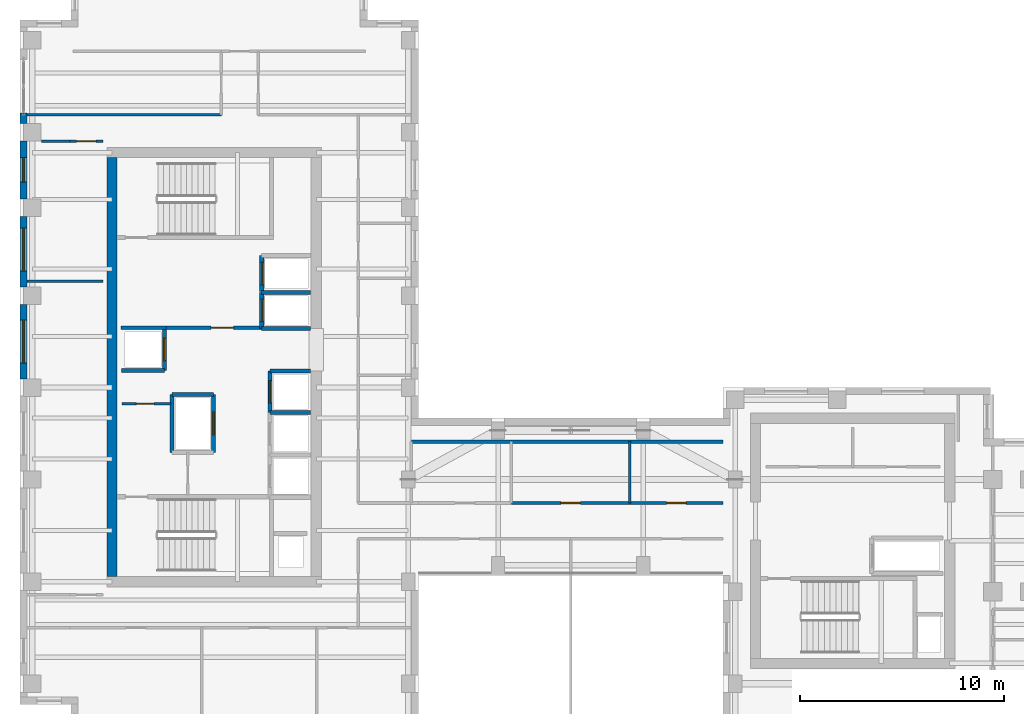
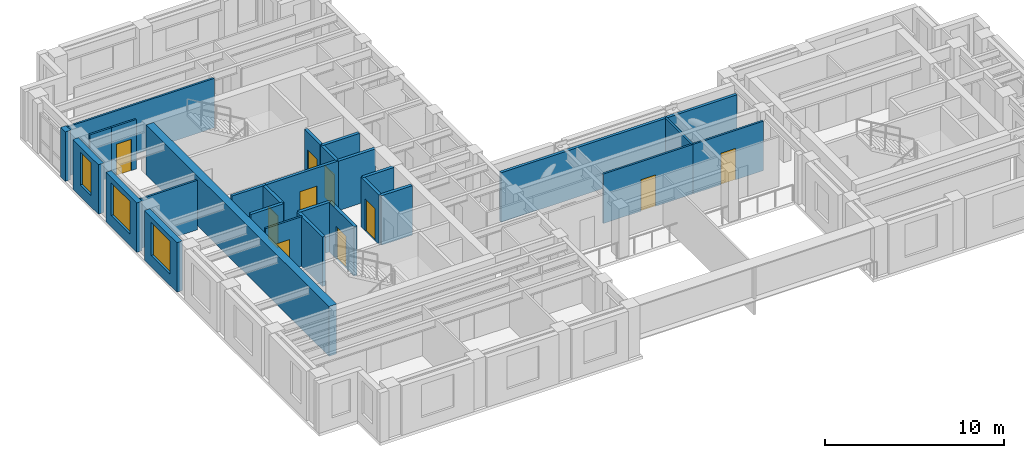
# One storey, part 7 of 12: 28 walls, 10 doors, 3 windows, 13 openings.
"""IFC4 building model written with IfcOpenShell, lengths in metres."""

from ifc_helpers import new_model, si_unit, direction, frame, frame_2d, origin, place, context, subcontext, project, spatial, rectangle, extrude, source, transform, mapped, material, layer, layer_set, type_object, element, fill, save


model = new_model("IFC4")

# Units and contexts
model_context = context("Model", 3, precision=1e-05, world=origin(), true_north=direction((0.0, 1.0)))
body_context = subcontext(model_context, "Body", "Model", "MODEL_VIEW")
ifc_project = project(units=[si_unit("LENGTHUNIT", "METRE"), si_unit("AREAUNIT", "SQUARE_METRE"), si_unit("VOLUMEUNIT", "CUBIC_METRE"), si_unit("PLANEANGLEUNIT", "RADIAN"), si_unit("MASSUNIT", "GRAM", prefix="KILO")], contexts=[model_context])

# Site, building, storey
site_placement = place(None, origin())
site = spatial("IfcSite", under=ifc_project, at=site_placement, CompositionType="ELEMENT")
building_placement = place(site_placement, origin())
building = spatial("IfcBuilding", under=site, at=building_placement, Name="Kharzan Plaza Tower", CompositionType="ELEMENT")
storey_placement = place(building_placement, frame((0.0, 0.0, 248.39990234375)))
storey = spatial("IfcBuildingStorey", under=building, at=storey_placement, Name="L67", CompositionType="ELEMENT", Elevation=248.39990234375)

# Wall, opening, window
ifc_material_1 = material(Name="Concrete C40/50", Category="concrete")
ifc_layer_1 = layer(ifc_material_1, 0.35009765625)
ifc_layer_set_1 = layer_set([ifc_layer_1], Name="Concrete C40/50")
wall_type_1 = type_object("IfcWallType", Name="WL-EXT-MAS-Z4", PredefinedType="SOLIDWALL", material=ifc_layer_set_1)
wall_1_placement = place(storey_placement, frame((0.175048828125, 30.076904296875, 0.0), z_axis=(0.0, 0.0, 1.0), x_axis=(0.0, -1.0, 0.0)))
wall_1 = element("IfcWall", 1, at=wall_1_placement, inside=storey, type_object=wall_type_1, Name="L67 Masonry-Frame Exterior Wall 18", PredefinedType="SOLIDWALL", context=body_context, shape_type="SweptSolid", body=[
    extrude(rectangle(XDim=2.85400390625, YDim=0.35009765625, at=frame_2d((1.427001953125, 0.0))), origin(), (0.0, 0.0, 1.0), 3.385009765625),
])
opening_1_placement = place(wall_1_placement, frame((0.826904296875, 0.0, 0.780029296875)))
opening_1 = element("IfcOpeningElement", 2, at=opening_1_placement, cuts=wall_1, Name="Opening W3", PredefinedType="OPENING", context=body_context, shape_type="SweptSolid", body=[
    extrude(rectangle(XDim=1.199951171875, YDim=2.25, at=frame_2d((0.60009765625, 1.125))), frame((0.0, 0.18505859375, 0.0), z_axis=(0.0, -1.0, 0.0), x_axis=(1.0, 0.0, 0.0)), (0.0, 0.0, 1.0), 0.3701171875),
])
ifc_material_2 = material(Name="Low-E Double Glazing", Category="glass")
window_type_1 = type_object("IfcWindowType", Name="WN-REC-1200x2100", PartitioningType="SINGLE_PANEL", PredefinedType="WINDOW", material=ifc_material_2)
shared_shape_1 = source(origin(), body_context, "Body", "SweptSolid", [
    extrude(rectangle(XDim=1.199951171875, YDim=2.25, at=frame_2d((0.60009765625, 1.125))), frame((0.0, 0.030029296875, 0.0), z_axis=(0.0, -1.0, 0.0), x_axis=(1.0, 0.0, 0.0)), (0.0, 0.0, 1.0), 0.06005859375),
])
window_1_placement = place(opening_1_placement, origin())
window_1 = element("IfcWindow", 3, at=window_1_placement, inside=storey, type_object=window_type_1, Name="L67 Recessed Solar-Control Window 18-1", OverallHeight=2.25, OverallWidth=1.199951171875, PartitioningType="SINGLE_PANEL", PredefinedType="WINDOW", context=body_context, shape_type="MappedRepresentation", body=[
    mapped(shared_shape_1, transform((0.0, 0.0, 0.0), x_axis=(1.0, 0.0, 0.0), y_axis=(0.0, 1.0, 0.0), z_axis=(0.0, 0.0, 1.0))),
])
fill(opening_1, window_1)

wall_2_placement = place(storey_placement, frame((0.175048828125, 26.376953125, 0.0), z_axis=(0.0, 0.0, 1.0), x_axis=(0.0, -1.0, 0.0)))
wall_2 = element("IfcWall", 4, at=wall_2_placement, inside=storey, type_object=wall_type_1, Name="L67 Masonry-Frame Exterior Wall 19", PredefinedType="SOLIDWALL", context=body_context, shape_type="SweptSolid", body=[
    extrude(rectangle(XDim=3.453857421875, YDim=0.35009765625, at=frame_2d((1.72705078125, 0.0))), origin(), (0.0, 0.0, 1.0), 3.385009765625),
])
opening_2_placement = place(wall_2_placement, frame((0.573486328125, 0.0, 0.780029296875)))
opening_2 = element("IfcOpeningElement", 5, at=opening_2_placement, cuts=wall_2, Name="Opening W6", PredefinedType="OPENING", context=body_context, shape_type="SweptSolid", body=[
    extrude(rectangle(XDim=2.10009765625, YDim=2.25, at=frame_2d((1.050048828125, 1.125))), frame((0.0, 0.18505859375, 0.0), z_axis=(0.0, -1.0, 0.0), x_axis=(1.0, 0.0, 0.0)), (0.0, 0.0, 1.0), 0.3701171875),
])
window_type_2 = type_object("IfcWindowType", Name="WN-EXEC-2100x2250", PartitioningType="SINGLE_PANEL", PredefinedType="WINDOW", material=ifc_material_2)
shared_shape_2 = source(origin(), body_context, "Body", "SweptSolid", [
    extrude(rectangle(XDim=2.10009765625, YDim=2.25, at=frame_2d((1.050048828125, 1.125))), frame((0.0, 0.030029296875, 0.0), z_axis=(0.0, -1.0, 0.0), x_axis=(1.0, 0.0, 0.0)), (0.0, 0.0, 1.0), 0.06005859375),
])
window_2_placement = place(opening_2_placement, origin())
window_2 = element("IfcWindow", 6, at=window_2_placement, inside=storey, type_object=window_type_2, Name="L67 Recessed Solar-Control Window 19-1", OverallHeight=2.25, OverallWidth=2.10009765625, PartitioningType="SINGLE_PANEL", PredefinedType="WINDOW", context=body_context, shape_type="MappedRepresentation", body=[
    mapped(shared_shape_2, transform((0.0, 0.0, 0.0), x_axis=(1.0, 0.0, 0.0), y_axis=(0.0, 1.0, 0.0), z_axis=(0.0, 0.0, 1.0))),
])
fill(opening_2, window_2)

wall_3_placement = place(storey_placement, frame((0.175048828125, 22.076904296875, 0.0), z_axis=(0.0, 0.0, 1.0), x_axis=(0.0, -1.0, 0.0)))
wall_3 = element("IfcWall", 7, at=wall_3_placement, inside=storey, type_object=wall_type_1, Name="L67 Masonry-Frame Exterior Wall 20", PredefinedType="SOLIDWALL", context=body_context, shape_type="SweptSolid", body=[
    extrude(rectangle(XDim=3.65380859375, YDim=0.35009765625, at=frame_2d((1.826904296875, 0.0))), origin(), (0.0, 0.0, 1.0), 3.385009765625),
])
opening_3_placement = place(wall_3_placement, frame((0.777099609375, 0.0, 0.780029296875)))
opening_3 = element("IfcOpeningElement", 8, at=opening_3_placement, cuts=wall_3, Name="Opening W6", PredefinedType="OPENING", context=body_context, shape_type="SweptSolid", body=[
    extrude(rectangle(XDim=2.10009765625, YDim=2.25, at=frame_2d((1.050048828125, 1.125))), frame((0.0, 0.18505859375, 0.0), z_axis=(0.0, -1.0, 0.0), x_axis=(1.0, 0.0, 0.0)), (0.0, 0.0, 1.0), 0.3701171875),
])
window_3_placement = place(opening_3_placement, origin())
window_3 = element("IfcWindow", 9, at=window_3_placement, inside=storey, type_object=window_type_2, Name="L67 Recessed Solar-Control Window 20-1", OverallHeight=2.25, OverallWidth=2.10009765625, PartitioningType="SINGLE_PANEL", PredefinedType="WINDOW", context=body_context, shape_type="MappedRepresentation", body=[
    mapped(shared_shape_2, transform((0.0, 0.0, 0.0), x_axis=(1.0, 0.0, 0.0), y_axis=(0.0, 1.0, 0.0), z_axis=(0.0, 0.0, 1.0))),
])
fill(opening_3, window_3)

# Wall, opening, door
ifc_layer_2 = layer(ifc_material_1, 0.179931640625)
ifc_layer_set_2 = layer_set([ifc_layer_2], Name="Concrete C40/50")
wall_type_2 = type_object("IfcWallType", Name="WL-INT-FIRE-180", PredefinedType="PARTITIONING", material=ifc_layer_set_2)
wall_4_placement = place(storey_placement, frame((7.14990234375, 20.919921875, 0.0), z_axis=(0.0, 0.0, 1.0), x_axis=(1.0, 0.0, 0.0)))
wall_4 = element("IfcWall", 10, at=wall_4_placement, inside=storey, type_object=wall_type_2, Name="L67 Interior Partition CA-FF-S", PredefinedType="PARTITIONING", context=body_context, shape_type="SweptSolid", body=[
    extrude(rectangle(XDim=4.68017578125, YDim=0.179931640625, at=frame_2d((2.340087890625, 0.0))), origin(), (0.0, 0.0, 1.0), 3.385009765625),
])
opening_4_placement = place(wall_4_placement, frame((2.199951171875, 0.0, 0.0)))
opening_4 = element("IfcOpeningElement", 11, at=opening_4_placement, cuts=wall_4, Name="Opening FD1", PredefinedType="OPENING", context=body_context, shape_type="SweptSolid", body=[
    extrude(rectangle(XDim=1.10009765625, YDim=2.14990234375, at=frame_2d((0.550048828125, 1.074951171875))), frame((0.0, 0.099853515625, 0.0), z_axis=(0.0, -1.0, 0.0), x_axis=(1.0, 0.0, 0.0)), (0.0, 0.0, 1.0), 0.199951171875),
])
ifc_material_3 = material(Name="Fire-Rated Acoustic Vision-Panel Steel", Category="steel")
door_type_1 = type_object("IfcDoorType", Name="DR-FIRE-LOBBY", OperationType="NOTDEFINED", PredefinedType="DOOR", material=ifc_material_3)
shared_shape_3 = source(origin(), body_context, "Body", "SweptSolid", [
    extrude(rectangle(XDim=1.10009765625, YDim=2.14990234375, at=frame_2d((0.550048828125, 1.074951171875))), frame((0.0, 0.02490234375, 0.0), z_axis=(0.0, -1.0, 0.0), x_axis=(1.0, 0.0, 0.0)), (0.0, 0.0, 1.0), 0.050048828125),
])
door_1_placement = place(opening_4_placement, origin())
door_1 = element("IfcDoor", 12, at=door_1_placement, inside=storey, type_object=door_type_1, Name="L67 Firefighting Lobby Door", OperationType="SINGLE_SWING_RIGHT", OverallHeight=2.14990234375, OverallWidth=1.10009765625, PredefinedType="DOOR", context=body_context, shape_type="MappedRepresentation", body=[
    mapped(shared_shape_3, transform((0.0, 0.0, 0.0), x_axis=(1.0, 0.0, 0.0), y_axis=(0.0, 1.0, 0.0), z_axis=(0.0, 0.0, 1.0))),
])
fill(opening_4, door_1)

ifc_material_4 = material(Name="Fire-Rated Gypsum Board Partition", Category="gypsum")
ifc_layer_3 = layer(ifc_material_4, 0.125)
ifc_layer_set_3 = layer_set([ifc_layer_3], Name="Fire-Rated Gypsum Board Partition")
wall_type_3 = type_object("IfcWallType", Name="WL-INT-PART-125", PredefinedType="PARTITIONING", material=ifc_layer_set_3)
wall_5_placement = place(storey_placement, frame((5.0, 17.199951171875, 0.0), z_axis=(0.0, 0.0, 1.0), x_axis=(1.0, 0.0, 0.0)))
wall_5 = element("IfcWall", 13, at=wall_5_placement, inside=storey, type_object=wall_type_3, Name="L67 Interior Partition CA-K1N2", PredefinedType="PARTITIONING", context=body_context, shape_type="SweptSolid", body=[
    extrude(rectangle(XDim=2.39990234375, YDim=0.125, at=frame_2d((1.199951171875, 0.0))), origin(), (0.0, 0.0, 1.0), 3.385009765625),
])
opening_5_placement = place(wall_5_placement, frame((0.699951171875, 0.0, 0.0)))
opening_5 = element("IfcOpeningElement", 14, at=opening_5_placement, cuts=wall_5, Name="Opening RD1", PredefinedType="OPENING", context=body_context, shape_type="SweptSolid", body=[
    extrude(rectangle(XDim=0.85009765625, YDim=2.10009765625, at=frame_2d((0.425048828125, 1.050048828125))), frame((0.0, 0.072509765625, 0.0), z_axis=(0.0, -1.0, 0.0), x_axis=(1.0, 0.0, 0.0)), (0.0, 0.0, 1.0), 0.14501953125),
])
ifc_material_5 = material(Name="Powder-Coated Fire-Rated Steel", Category="steel")
door_type_2 = type_object("IfcDoorType", Name="DR-RISER-900", OperationType="NOTDEFINED", PredefinedType="DOOR", material=ifc_material_5)
shared_shape_4 = source(origin(), body_context, "Body", "SweptSolid", [
    extrude(rectangle(XDim=0.85009765625, YDim=2.10009765625, at=frame_2d((0.425048828125, 1.050048828125))), frame((0.0, 0.02490234375, 0.0), z_axis=(0.0, -1.0, 0.0), x_axis=(1.0, 0.0, 0.0)), (0.0, 0.0, 1.0), 0.050048828125),
])
door_2_placement = place(opening_5_placement, origin())
door_2 = element("IfcDoor", 15, at=door_2_placement, inside=storey, type_object=door_type_2, Name="L67 Core Storage Room Door", OperationType="SINGLE_SWING_LEFT", OverallHeight=2.10009765625, OverallWidth=0.85009765625, PredefinedType="DOOR", context=body_context, shape_type="MappedRepresentation", body=[
    mapped(shared_shape_4, transform((0.0, 0.0, 0.0), x_axis=(1.0, 0.0, 0.0), y_axis=(0.0, 1.0, 0.0), z_axis=(0.0, 0.0, 1.0))),
])
fill(opening_5, door_2)

wall_6_placement = place(storey_placement, frame((2.449951171875, 30.050048828125, 0.0), z_axis=(0.0, 0.0, 1.0), x_axis=(1.0, 0.0, 0.0)))
wall_6 = element("IfcWall", 16, at=wall_6_placement, inside=storey, type_object=wall_type_3, Name="L67 Interior Partition SH-RWND", PredefinedType="PARTITIONING", context=body_context, shape_type="SweptSolid", body=[
    extrude(rectangle(XDim=1.60009765625, YDim=0.125, at=frame_2d((0.800048828125, 0.0))), origin(), (0.0, 0.0, 1.0), 3.385009765625),
])
opening_6_placement = place(wall_6_placement, frame((0.324951171875, 0.0, 0.0)))
opening_6 = element("IfcOpeningElement", 17, at=opening_6_placement, cuts=wall_6, Name="Opening OD1", PredefinedType="OPENING", context=body_context, shape_type="SweptSolid", body=[
    extrude(rectangle(XDim=0.949951171875, YDim=2.14990234375, at=frame_2d((0.47509765625, 1.074951171875))), frame((0.0, 0.072509765625, 0.0), z_axis=(0.0, -1.0, 0.0), x_axis=(1.0, 0.0, 0.0)), (0.0, 0.0, 1.0), 0.14501953125),
])
ifc_material_6 = material(Name="Acoustic Solid-Core Stained Oak", Category="timber")
door_type_3 = type_object("IfcDoorType", Name="DR-OFF-SINGLE", OperationType="NOTDEFINED", PredefinedType="DOOR", material=ifc_material_6)
shared_shape_5 = source(origin(), body_context, "Body", "SweptSolid", [
    extrude(rectangle(XDim=0.949951171875, YDim=2.14990234375, at=frame_2d((0.47509765625, 1.074951171875))), frame((0.0, 0.02490234375, 0.0), z_axis=(0.0, -1.0, 0.0), x_axis=(1.0, 0.0, 0.0)), (0.0, 0.0, 1.0), 0.050048828125),
])
door_3_placement = place(opening_6_placement, origin())
door_3 = element("IfcDoor", 18, at=door_3_placement, inside=storey, type_object=door_type_3, Name="L67 West Office 2 Door", OperationType="SINGLE_SWING_LEFT", OverallHeight=2.14990234375, OverallWidth=0.949951171875, PredefinedType="DOOR", context=body_context, shape_type="MappedRepresentation", body=[
    mapped(shared_shape_5, transform((0.0, 0.0, 0.0), x_axis=(1.0, 0.0, 0.0), y_axis=(0.0, 1.0, 0.0), z_axis=(0.0, 0.0, 1.0))),
])
fill(opening_6, door_3)

wall_7_placement = place(storey_placement, frame((29.85009765625, 12.35009765625, 0.0), z_axis=(0.0, 0.0, 1.0), x_axis=(1.0, 0.0, 0.0)))
wall_7 = element("IfcWall", 19, at=wall_7_placement, inside=storey, type_object=wall_type_3, Name="L67 Interior Partition SH-SPNE1", PredefinedType="PARTITIONING", context=body_context, shape_type="SweptSolid", body=[
    extrude(rectangle(XDim=4.5498046875, YDim=0.125, at=frame_2d((2.27490234375, 0.0))), origin(), (0.0, 0.0, 1.0), 3.385009765625),
])
opening_7_placement = place(wall_7_placement, frame((1.800048828125, 0.0, 0.0)))
opening_7 = element("IfcOpeningElement", 20, at=opening_7_placement, cuts=wall_7, Name="Opening OD1", PredefinedType="OPENING", context=body_context, shape_type="SweptSolid", body=[
    extrude(rectangle(XDim=0.949951171875, YDim=2.14990234375, at=frame_2d((0.47509765625, 1.074951171875))), frame((0.0, 0.072509765625, 0.0), z_axis=(0.0, -1.0, 0.0), x_axis=(1.0, 0.0, 0.0)), (0.0, 0.0, 1.0), 0.14501953125),
])
door_4_placement = place(opening_7_placement, origin())
door_4 = element("IfcDoor", 21, at=door_4_placement, inside=storey, type_object=door_type_3, Name="L67 North-East Spine Door", OperationType="SINGLE_SWING_RIGHT", OverallHeight=2.14990234375, OverallWidth=0.949951171875, PredefinedType="DOOR", context=body_context, shape_type="MappedRepresentation", body=[
    mapped(shared_shape_5, transform((0.0, 0.0, 0.0), x_axis=(1.0, 0.0, 0.0), y_axis=(0.0, 1.0, 0.0), z_axis=(0.0, 0.0, 1.0))),
])
fill(opening_7, door_4)

wall_8_placement = place(storey_placement, frame((24.050048828125, 12.35009765625, 0.0), z_axis=(0.0, 0.0, 1.0), x_axis=(1.0, 0.0, 0.0)))
wall_8 = element("IfcWall", 22, at=wall_8_placement, inside=storey, type_object=wall_type_3, Name="L67 Interior Partition SH-SPNM", PredefinedType="PARTITIONING", context=body_context, shape_type="SweptSolid", body=[
    extrude(rectangle(XDim=5.800048828125, YDim=0.125, at=frame_2d((2.89990234375, 0.0))), origin(), (0.0, 0.0, 1.0), 3.385009765625),
])
opening_8_placement = place(wall_8_placement, frame((2.425048828125, 0.0, 0.0)))
opening_8 = element("IfcOpeningElement", 23, at=opening_8_placement, cuts=wall_8, Name="Opening OD1", PredefinedType="OPENING", context=body_context, shape_type="SweptSolid", body=[
    extrude(rectangle(XDim=0.949951171875, YDim=2.14990234375, at=frame_2d((0.47509765625, 1.074951171875))), frame((0.0, 0.072509765625, 0.0), z_axis=(0.0, -1.0, 0.0), x_axis=(1.0, 0.0, 0.0)), (0.0, 0.0, 1.0), 0.14501953125),
])
door_5_placement = place(opening_8_placement, origin())
door_5 = element("IfcDoor", 24, at=door_5_placement, inside=storey, type_object=door_type_3, Name="L67 Reclaimed Spine Door", OperationType="SINGLE_SWING_LEFT", OverallHeight=2.14990234375, OverallWidth=0.949951171875, PredefinedType="DOOR", context=body_context, shape_type="MappedRepresentation", body=[
    mapped(shared_shape_5, transform((0.0, 0.0, 0.0), x_axis=(1.0, 0.0, 0.0), y_axis=(0.0, 1.0, 0.0), z_axis=(0.0, 0.0, 1.0))),
])
fill(opening_8, door_5)

ifc_layer_4 = layer(ifc_material_1, 0.199951171875)
ifc_layer_set_4 = layer_set([ifc_layer_4], Name="Concrete C40/50")
wall_type_4 = type_object("IfcWallType", Name="WL-INT-SHAFT-200", PredefinedType="PARTITIONING", material=ifc_layer_set_4)
wall_9_placement = place(storey_placement, frame((11.830078125, 20.89990234375, 0.0), z_axis=(0.0, 0.0, 1.0), x_axis=(0.0, 1.0, 0.0)))
wall_9 = element("IfcWall", 25, at=wall_9_placement, inside=storey, type_object=wall_type_4, Name="L67 Interior Partition SHF-FFL-1-W", PredefinedType="PARTITIONING", context=body_context, shape_type="SweptSolid", body=[
    extrude(rectangle(XDim=1.760009765625, YDim=0.199951171875, at=frame_2d((0.8798828125, 0.0))), origin(), (0.0, 0.0, 1.0), 3.385009765625),
])
opening_9_placement = place(wall_9_placement, frame((0.330078125, 0.0, 0.0)))
opening_9 = element("IfcOpeningElement", 26, at=opening_9_placement, cuts=wall_9, Name="Opening LD", PredefinedType="OPENING", context=body_context, shape_type="SweptSolid", body=[
    extrude(rectangle(XDim=1.10009765625, YDim=2.199951171875, at=frame_2d((0.550048828125, 1.10009765625))), frame((0.0, 0.10986328125, 0.0), z_axis=(0.0, -1.0, 0.0), x_axis=(1.0, 0.0, 0.0)), (0.0, 0.0, 1.0), 0.219970703125),
])
ifc_material_7 = material(Name="Brushed Stainless Steel", Category="steel")
door_type_4 = type_object("IfcDoorType", Name="DR-LIFT-SLIDE", OperationType="SLIDING_TO_LEFT", PredefinedType="DOOR", material=ifc_material_7)
shared_shape_6 = source(origin(), body_context, "Body", "SweptSolid", [
    extrude(rectangle(XDim=1.10009765625, YDim=2.199951171875, at=frame_2d((0.550048828125, 1.10009765625))), frame((0.0, 0.02490234375, 0.0), z_axis=(0.0, -1.0, 0.0), x_axis=(1.0, 0.0, 0.0)), (0.0, 0.0, 1.0), 0.050048828125),
])
door_6_placement = place(opening_9_placement, origin())
door_6 = element("IfcDoor", 27, at=door_6_placement, inside=storey, type_object=door_type_4, Name="L67 Firefighting Lift FFL-1 Sliding Landing Door", OperationType="SLIDING_TO_LEFT", OverallHeight=2.199951171875, OverallWidth=1.10009765625, PredefinedType="DOOR", context=body_context, shape_type="MappedRepresentation", body=[
    mapped(shared_shape_6, transform((0.0, 0.0, 0.0), x_axis=(1.0, 0.0, 0.0), y_axis=(0.0, 1.0, 0.0), z_axis=(0.0, 0.0, 1.0))),
])
fill(opening_9, door_6)

wall_10_placement = place(storey_placement, frame((11.830078125, 22.699951171875, 0.0), z_axis=(0.0, 0.0, 1.0), x_axis=(0.0, 1.0, 0.0)))
wall_10 = element("IfcWall", 28, at=wall_10_placement, inside=storey, type_object=wall_type_4, Name="L67 Interior Partition SHF-FFL-2-W", PredefinedType="PARTITIONING", context=body_context, shape_type="SweptSolid", body=[
    extrude(rectangle(XDim=1.760009765625, YDim=0.199951171875, at=frame_2d((0.8798828125, 0.0))), origin(), (0.0, 0.0, 1.0), 3.385009765625),
])
opening_10_placement = place(wall_10_placement, frame((0.330078125, 0.0, 0.0)))
opening_10 = element("IfcOpeningElement", 29, at=opening_10_placement, cuts=wall_10, Name="Opening LD", PredefinedType="OPENING", context=body_context, shape_type="SweptSolid", body=[
    extrude(rectangle(XDim=1.10009765625, YDim=2.199951171875, at=frame_2d((0.550048828125, 1.10009765625))), frame((0.0, 0.10986328125, 0.0), z_axis=(0.0, -1.0, 0.0), x_axis=(1.0, 0.0, 0.0)), (0.0, 0.0, 1.0), 0.219970703125),
])
door_7_placement = place(opening_10_placement, origin())
door_7 = element("IfcDoor", 30, at=door_7_placement, inside=storey, type_object=door_type_4, Name="L67 Firefighting Lift FFL-2 Sliding Landing Door", OperationType="SLIDING_TO_LEFT", OverallHeight=2.199951171875, OverallWidth=1.10009765625, PredefinedType="DOOR", context=body_context, shape_type="MappedRepresentation", body=[
    mapped(shared_shape_6, transform((0.0, 0.0, 0.0), x_axis=(1.0, 0.0, 0.0), y_axis=(0.0, 1.0, 0.0), z_axis=(0.0, 0.0, 1.0))),
])
fill(opening_10, door_7)

wall_11_placement = place(storey_placement, frame((12.22998046875, 16.77001953125, 0.0), z_axis=(0.0, 0.0, 1.0), x_axis=(0.0, 1.0, 0.0)))
wall_11 = element("IfcWall", 31, at=wall_11_placement, inside=storey, type_object=wall_type_4, Name="L67 Interior Partition SHF-PL-H3-W", PredefinedType="PARTITIONING", context=body_context, shape_type="SweptSolid", body=[
    extrude(rectangle(XDim=2.050048828125, YDim=0.199951171875, at=frame_2d((1.02490234375, 0.0))), origin(), (0.0, 0.0, 1.0), 3.385009765625),
])
opening_11_placement = place(wall_11_placement, frame((0.47509765625, 0.0, 0.0)))
opening_11 = element("IfcOpeningElement", 32, at=opening_11_placement, cuts=wall_11, Name="Opening LD", PredefinedType="OPENING", context=body_context, shape_type="SweptSolid", body=[
    extrude(rectangle(XDim=1.10009765625, YDim=2.199951171875, at=frame_2d((0.550048828125, 1.10009765625))), frame((0.0, 0.10986328125, 0.0), z_axis=(0.0, -1.0, 0.0), x_axis=(1.0, 0.0, 0.0)), (0.0, 0.0, 1.0), 0.219970703125),
])
door_8_placement = place(opening_11_placement, origin())
door_8 = element("IfcDoor", 33, at=door_8_placement, inside=storey, type_object=door_type_4, Name="L67 High-Rise Passenger Lift PL-H3 Sliding Landing Door", OperationType="SLIDING_TO_LEFT", OverallHeight=2.199951171875, OverallWidth=1.10009765625, PredefinedType="DOOR", context=body_context, shape_type="MappedRepresentation", body=[
    mapped(shared_shape_6, transform((0.0, 0.0, 0.0), x_axis=(1.0, 0.0, 0.0), y_axis=(0.0, 1.0, 0.0), z_axis=(0.0, 0.0, 1.0))),
])
fill(opening_11, door_8)

wall_12_placement = place(storey_placement, frame((7.070068359375, 18.840087890625, 0.0), z_axis=(0.0, 0.0, 1.0), x_axis=(0.0, 1.0, 0.0)))
wall_12 = element("IfcWall", 34, at=wall_12_placement, inside=storey, type_object=wall_type_4, Name="L67 Interior Partition SHF-PL-H4-E", PredefinedType="PARTITIONING", context=body_context, shape_type="SweptSolid", body=[
    extrude(rectangle(XDim=2.059814453125, YDim=0.199951171875, at=frame_2d((1.02978515625, 0.0))), origin(), (0.0, 0.0, 1.0), 3.385009765625),
])
opening_12_placement = place(wall_12_placement, frame((0.47998046875, 0.0, 0.0)))
opening_12 = element("IfcOpeningElement", 35, at=opening_12_placement, cuts=wall_12, Name="Opening LD", PredefinedType="OPENING", context=body_context, shape_type="SweptSolid", body=[
    extrude(rectangle(XDim=1.10009765625, YDim=2.199951171875, at=frame_2d((0.550048828125, 1.10009765625))), frame((0.0, 0.10986328125, 0.0), z_axis=(0.0, -1.0, 0.0), x_axis=(1.0, 0.0, 0.0)), (0.0, 0.0, 1.0), 0.219970703125),
])
door_9_placement = place(opening_12_placement, origin())
door_9 = element("IfcDoor", 36, at=door_9_placement, inside=storey, type_object=door_type_4, Name="L67 High-Rise Passenger Lift PL-H4 Sliding Landing Door", OperationType="SLIDING_TO_LEFT", OverallHeight=2.199951171875, OverallWidth=1.10009765625, PredefinedType="DOOR", context=body_context, shape_type="MappedRepresentation", body=[
    mapped(shared_shape_6, transform((0.0, 0.0, 0.0), x_axis=(1.0, 0.0, 0.0), y_axis=(0.0, 1.0, 0.0), z_axis=(0.0, 0.0, 1.0))),
])
fill(opening_12, door_9)

wall_13_placement = place(storey_placement, frame((9.469970703125, 14.830078125, 0.0), z_axis=(0.0, 0.0, 1.0), x_axis=(0.0, 1.0, 0.0)))
wall_13 = element("IfcWall", 37, at=wall_13_placement, inside=storey, type_object=wall_type_4, Name="L67 Interior Partition SHF-SVL-1-E", PredefinedType="PARTITIONING", context=body_context, shape_type="SweptSolid", body=[
    extrude(rectangle(XDim=2.83984375, YDim=0.199951171875, at=frame_2d((1.419921875, 0.0))), origin(), (0.0, 0.0, 1.0), 3.385009765625),
])
opening_13_placement = place(wall_13_placement, frame((0.8701171875, 0.0, 0.0)))
opening_13 = element("IfcOpeningElement", 38, at=opening_13_placement, cuts=wall_13, Name="Opening LD", PredefinedType="OPENING", context=body_context, shape_type="SweptSolid", body=[
    extrude(rectangle(XDim=1.10009765625, YDim=2.199951171875, at=frame_2d((0.550048828125, 1.10009765625))), frame((0.0, 0.10986328125, 0.0), z_axis=(0.0, -1.0, 0.0), x_axis=(1.0, 0.0, 0.0)), (0.0, 0.0, 1.0), 0.219970703125),
])
door_10_placement = place(opening_13_placement, origin())
door_10 = element("IfcDoor", 39, at=door_10_placement, inside=storey, type_object=door_type_4, Name="L67 Service Lift SVL-1 Sliding Landing Door", OperationType="SLIDING_TO_LEFT", OverallHeight=2.199951171875, OverallWidth=1.10009765625, PredefinedType="DOOR", context=body_context, shape_type="MappedRepresentation", body=[
    mapped(shared_shape_6, transform((0.0, 0.0, 0.0), x_axis=(1.0, 0.0, 0.0), y_axis=(0.0, 1.0, 0.0), z_axis=(0.0, 0.0, 1.0))),
])
fill(opening_13, door_10)

# Walls
shared_shape_7 = source(origin(), body_context, "Body", "SweptSolid", [
    extrude(rectangle(XDim=2.199951171875, YDim=0.179931640625, at=frame_2d((1.10009765625, 0.0))), origin(), (0.0, 0.0, 1.0), 3.385009765625),
])
wall_14_placement = place(storey_placement, frame((4.949951171875, 20.919921875, 0.0), z_axis=(0.0, 0.0, 1.0), x_axis=(1.0, 0.0, 0.0)))
element("IfcWall", 40, at=wall_14_placement, inside=storey, type_object=wall_type_2, Name="L67 Interior Partition CA-FF-SW", PredefinedType="PARTITIONING", context=body_context, shape_type="MappedRepresentation", body=[
    mapped(shared_shape_7, transform((0.0, 0.0, 0.0), x_axis=(1.0, 0.0, 0.0), y_axis=(0.0, 1.0, 0.0), z_axis=(0.0, 0.0, 1.0))),
])
shared_shape_8 = source(origin(), body_context, "Body", "SweptSolid", [
    extrude(rectangle(XDim=2.090087890625, YDim=0.199951171875, at=frame_2d((1.044921875, 0.0))), origin(), (0.0, 0.0, 1.0), 3.385009765625),
])
wall_15_placement = place(storey_placement, frame((4.97998046875, 18.840087890625, 0.0), z_axis=(0.0, 0.0, 1.0), x_axis=(1.0, 0.0, 0.0)))
element("IfcWall", 41, at=wall_15_placement, inside=storey, type_object=wall_type_4, Name="L67 Interior Partition SHF-PL-H4-S", PredefinedType="PARTITIONING", context=body_context, shape_type="MappedRepresentation", body=[
    mapped(shared_shape_8, transform((0.0, 0.0, 0.0), x_axis=(1.0, 0.0, 0.0), y_axis=(0.0, 1.0, 0.0), z_axis=(0.0, 0.0, 1.0))),
])
shared_shape_9 = source(origin(), body_context, "Body", "SweptSolid", [
    extrude(rectangle(XDim=2.0400390625, YDim=0.199951171875, at=frame_2d((1.02001953125, 0.0))), origin(), (0.0, 0.0, 1.0), 3.385009765625),
])
wall_16_placement = place(storey_placement, frame((7.429931640625, 17.669921875, 0.0), z_axis=(0.0, 0.0, 1.0), x_axis=(1.0, 0.0, 0.0)))
element("IfcWall", 42, at=wall_16_placement, inside=storey, type_object=wall_type_4, Name="L67 Interior Partition SHF-SVL-1-N", PredefinedType="PARTITIONING", context=body_context, shape_type="MappedRepresentation", body=[
    mapped(shared_shape_9, transform((0.0, 0.0, 0.0), x_axis=(1.0, 0.0, 0.0), y_axis=(0.0, 1.0, 0.0), z_axis=(0.0, 0.0, 1.0))),
])
shared_shape_10 = source(origin(), body_context, "Body", "SweptSolid", [
    extrude(rectangle(XDim=2.83984375, YDim=0.199951171875, at=frame_2d((1.419921875, 0.0))), origin(), (0.0, 0.0, 1.0), 3.385009765625),
])
wall_17_placement = place(storey_placement, frame((7.429931640625, 14.830078125, 0.0), z_axis=(0.0, 0.0, 1.0), x_axis=(0.0, 1.0, 0.0)))
element("IfcWall", 43, at=wall_17_placement, inside=storey, type_object=wall_type_4, Name="L67 Interior Partition SHF-SVL-1-W", PredefinedType="PARTITIONING", context=body_context, shape_type="MappedRepresentation", body=[
    mapped(shared_shape_10, transform((0.0, 0.0, 0.0), x_axis=(1.0, 0.0, 0.0), y_axis=(0.0, 1.0, 0.0), z_axis=(0.0, 0.0, 1.0))),
])
shared_shape_11 = source(origin(), body_context, "Body", "SweptSolid", [
    extrude(rectangle(XDim=3.697998046875, YDim=0.125, at=frame_2d((1.84912109375, 0.0))), origin(), (0.0, 0.0, 1.0), 3.385009765625),
])
wall_18_placement = place(storey_placement, frame((0.35205078125, 23.199951171875, 0.0), z_axis=(0.0, 0.0, 1.0), x_axis=(1.0, 0.0, 0.0)))
element("IfcWall", 44, at=wall_18_placement, inside=storey, type_object=wall_type_3, Name="L67 Interior Partition SH-WMID", PredefinedType="PARTITIONING", context=body_context, shape_type="MappedRepresentation", body=[
    mapped(shared_shape_11, transform((0.0, 0.0, 0.0), x_axis=(1.0, 0.0, 0.0), y_axis=(0.0, 1.0, 0.0), z_axis=(0.0, 0.0, 1.0))),
])
shared_shape_12 = source(origin(), body_context, "Body", "SweptSolid", [
    extrude(rectangle(XDim=9.498046875, YDim=0.125, at=frame_2d((4.7490234375, 0.0))), origin(), (0.0, 0.0, 1.0), 3.385009765625),
])
wall_19_placement = place(storey_placement, frame((0.35205078125, 31.35009765625, 0.0), z_axis=(0.0, 0.0, 1.0), x_axis=(1.0, 0.0, 0.0)))
element("IfcWall", 45, at=wall_19_placement, inside=storey, type_object=wall_type_3, Name="L67 Interior Partition SH-NNW", PredefinedType="PARTITIONING", context=body_context, shape_type="MappedRepresentation", body=[
    mapped(shared_shape_12, transform((0.0, 0.0, 0.0), x_axis=(1.0, 0.0, 0.0), y_axis=(0.0, 1.0, 0.0), z_axis=(0.0, 0.0, 1.0))),
])
ifc_material_8 = material(Name="Concrete C50/60", Category="concrete")
ifc_layer_5 = layer(ifc_material_8, 0.5)
ifc_layer_set_5 = layer_set([ifc_layer_5], Name="Concrete C50/60")
wall_type_5 = type_object("IfcWallType", Name="WL-CORE-500", PredefinedType="SHEAR", material=ifc_layer_set_5)
shared_shape_13 = source(origin(), body_context, "Body", "SweptSolid", [
    extrude(rectangle(XDim=20.5, YDim=0.5, at=frame_2d((10.25, 0.0))), origin(), (0.0, 0.0, 1.0), 3.400146484375),
])
wall_20_placement = place(storey_placement, frame((4.5, 8.75, 0.0), z_axis=(0.0, 0.0, 1.0), x_axis=(0.0, 1.0, 0.0)))
element("IfcWall", 46, at=wall_20_placement, inside=storey, type_object=wall_type_5, Name="L67 CORE-A west RC shear wall", PredefinedType="SHEAR", context=body_context, shape_type="MappedRepresentation", body=[
    mapped(shared_shape_13, transform((0.0, 0.0, 0.0), x_axis=(1.0, 0.0, 0.0), y_axis=(0.0, 1.0, 0.0), z_axis=(0.0, 0.0, 1.0))),
])
shared_shape_14 = source(origin(), body_context, "Body", "SweptSolid", [
    extrude(rectangle(XDim=0.52685546875, YDim=0.35009765625, at=frame_2d((0.263427734375, 0.0))), origin(), (0.0, 0.0, 1.0), 3.385009765625),
])
wall_21_placement = place(storey_placement, frame((0.175048828125, 31.449951171875, 0.0), z_axis=(0.0, 0.0, 1.0), x_axis=(0.0, -1.0, 0.0)))
element("IfcWall", 47, at=wall_21_placement, inside=storey, type_object=wall_type_1, Name="L67 Masonry-Frame Exterior Wall 17", PredefinedType="SOLIDWALL", context=body_context, shape_type="MappedRepresentation", body=[
    mapped(shared_shape_14, transform((0.0, 0.0, 0.0), x_axis=(1.0, 0.0, 0.0), y_axis=(0.0, 1.0, 0.0), z_axis=(0.0, 0.0, 1.0))),
])
shared_shape_15 = source(origin(), body_context, "Body", "SweptSolid", [
    extrude(rectangle(XDim=3.0, YDim=0.125, at=frame_2d((1.5, 0.0))), origin(), (0.0, 0.0, 1.0), 3.385009765625),
])
wall_22_placement = place(storey_placement, frame((29.85009765625, 12.35009765625, 0.0), z_axis=(0.0, 0.0, 1.0), x_axis=(0.0, 1.0, 0.0)))
element("IfcWall", 48, at=wall_22_placement, inside=storey, type_object=wall_type_3, Name="L67 Interior Partition SH-SPMR", PredefinedType="PARTITIONING", context=body_context, shape_type="MappedRepresentation", body=[
    mapped(shared_shape_15, transform((0.0, 0.0, 0.0), x_axis=(1.0, 0.0, 0.0), y_axis=(0.0, 1.0, 0.0), z_axis=(0.0, 0.0, 1.0))),
])
shared_shape_16 = source(origin(), body_context, "Body", "SweptSolid", [
    extrude(rectangle(XDim=2.389892578125, YDim=0.199951171875, at=frame_2d((1.19482421875, 0.0))), origin(), (0.0, 0.0, 1.0), 3.385009765625),
])
for number, where, z_axis, x_axis, name in (
    (49, (11.830078125, 22.659912109375, 0.0), (0.0, 0.0, 1.0), (1.0, 0.0, 0.0), "L67 Interior Partition SHF-FFL-1-N"),
    (50, (11.830078125, 20.89990234375, 0.0), (0.0, 0.0, 1.0), (1.0, 0.0, 0.0), "L67 Interior Partition SHF-FFL-1-S"),
):
    element("IfcWall", number, at=place(storey_placement, frame(where, z_axis=z_axis, x_axis=x_axis)), inside=storey, type_object=wall_type_4, Name=name, PredefinedType="PARTITIONING", context=body_context, shape_type="MappedRepresentation", body=[
        mapped(shared_shape_16, transform((0.0, 0.0, 0.0), x_axis=(1.0, 0.0, 0.0), y_axis=(0.0, 1.0, 0.0), z_axis=(0.0, 0.0, 1.0))),
    ])
shared_shape_17 = source(origin(), body_context, "Body", "SweptSolid", [
    extrude(rectangle(XDim=1.989990234375, YDim=0.199951171875, at=frame_2d((0.9951171875, 0.0))), origin(), (0.0, 0.0, 1.0), 3.385009765625),
])
for number, where, z_axis, x_axis, name in (
    (51, (12.22998046875, 16.77001953125, 0.0), (0.0, 0.0, 1.0), (1.0, 0.0, 0.0), "L67 Interior Partition SHF-PL-H2-N"),
    (52, (12.22998046875, 18.820068359375, 0.0), (0.0, 0.0, 1.0), (1.0, 0.0, 0.0), "L67 Interior Partition SHF-PL-H3-N"),
):
    element("IfcWall", number, at=place(storey_placement, frame(where, z_axis=z_axis, x_axis=x_axis)), inside=storey, type_object=wall_type_4, Name=name, PredefinedType="PARTITIONING", context=body_context, shape_type="MappedRepresentation", body=[
        mapped(shared_shape_17, transform((0.0, 0.0, 0.0), x_axis=(1.0, 0.0, 0.0), y_axis=(0.0, 1.0, 0.0), z_axis=(0.0, 0.0, 1.0))),
    ])
shared_shape_18 = source(origin(), body_context, "Body", "SweptSolid", [
    extrude(rectangle(XDim=1.39990234375, YDim=0.125, at=frame_2d((0.699951171875, 0.0))), origin(), (0.0, 0.0, 1.0), 3.385009765625),
])
wall_23_placement = place(storey_placement, frame((1.050048828125, 30.050048828125, 0.0), z_axis=(0.0, 0.0, 1.0), x_axis=(1.0, 0.0, 0.0)))
element("IfcWall", 53, at=wall_23_placement, inside=storey, type_object=wall_type_3, Name="L67 Interior Partition SH-RWN0", PredefinedType="PARTITIONING", context=body_context, shape_type="MappedRepresentation", body=[
    mapped(shared_shape_18, transform((0.0, 0.0, 0.0), x_axis=(1.0, 0.0, 0.0), y_axis=(0.0, 1.0, 0.0), z_axis=(0.0, 0.0, 1.0))),
])
shared_shape_19 = source(origin(), body_context, "Body", "SweptSolid", [
    extrude(rectangle(XDim=15.25, YDim=0.179931640625, at=frame_2d((7.625, 0.0))), origin(), (0.0, 0.0, 1.0), 3.385009765625),
])
wall_24_placement = place(storey_placement, frame((19.14990234375, 15.35009765625, 0.0), z_axis=(0.0, 0.0, 1.0), x_axis=(1.0, 0.0, 0.0)))
element("IfcWall", 54, at=wall_24_placement, inside=storey, type_object=wall_type_2, Name="L67 Interior Partition SH-SPNTURB", PredefinedType="PARTITIONING", context=body_context, shape_type="MappedRepresentation", body=[
    mapped(shared_shape_19, transform((0.0, 0.0, 0.0), x_axis=(1.0, 0.0, 0.0), y_axis=(0.0, 1.0, 0.0), z_axis=(0.0, 0.0, 1.0))),
])

save(model, "model.ifc")
